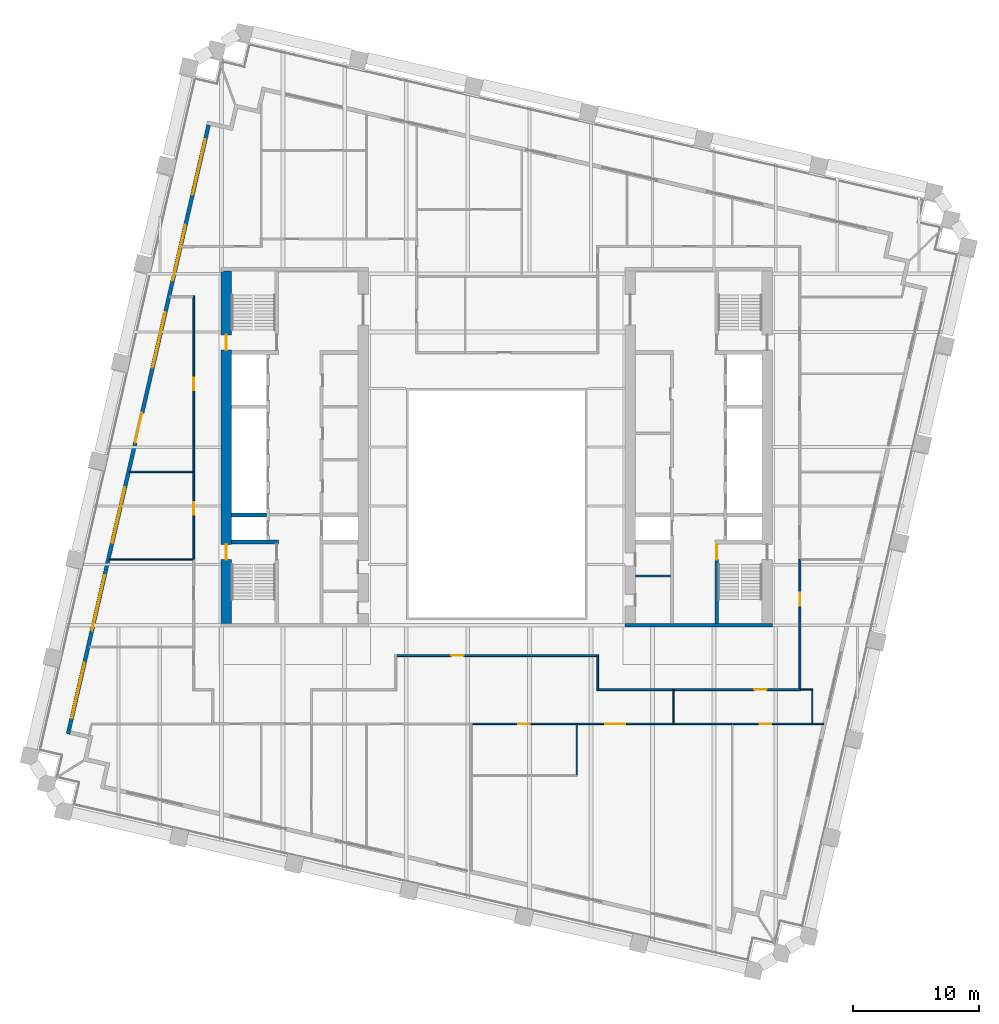
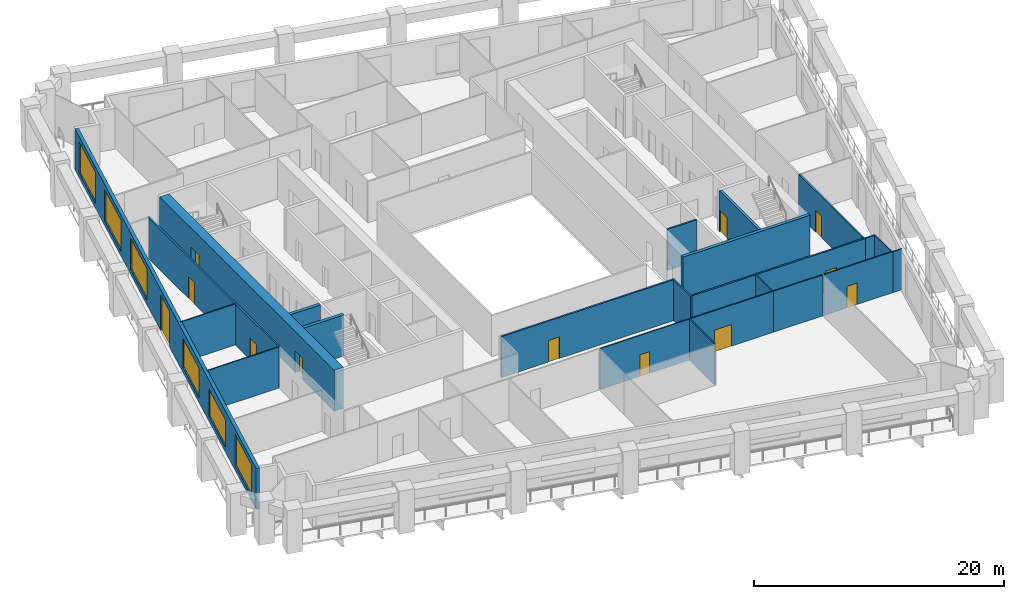
# One storey, part 4 of 10: 25 walls, 12 doors, 6 windows, 18 openings.
"""IFC4 building model written with IfcOpenShell, lengths in metres."""

from ifc_helpers import new_model, si_unit, direction, frame, frame_2d, origin, place, context, subcontext, project, spatial, rectangle, extrude, material, layer, layer_set, type_object, element, fill, save


model = new_model("IFC4")

# Units and contexts
model_context = context("Model", 3, precision=1e-05, world=origin(), true_north=direction((0.0, 1.0)))
body_context = subcontext(model_context, "Body", "Model", "MODEL_VIEW")
ifc_project = project(units=[si_unit("LENGTHUNIT", "METRE"), si_unit("AREAUNIT", "SQUARE_METRE"), si_unit("VOLUMEUNIT", "CUBIC_METRE"), si_unit("PLANEANGLEUNIT", "RADIAN"), si_unit("MASSUNIT", "GRAM", prefix="KILO")], contexts=[model_context])

# Site, building, storey
site_placement = place(None, origin())
site = spatial("IfcSite", under=ifc_project, at=site_placement, CompositionType="ELEMENT")
building_placement = place(site_placement, origin())
building = spatial("IfcBuilding", under=site, at=building_placement, Name="Ogive Exchange Tower", CompositionType="ELEMENT")
storey_placement = place(building_placement, frame((0.0, 0.0, 114.0)))
storey = spatial("IfcBuildingStorey", under=building, at=storey_placement, Name="L24", CompositionType="ELEMENT", Elevation=114.0)

# Wall
ifc_material_1 = material(Name="Gypsum board partition")
ifc_layer_1 = layer(ifc_material_1, 0.14990234375)
ifc_layer_set_1 = layer_set([ifc_layer_1], Name="Core room partition 150 gypsum")
wall_type_1 = type_object("IfcWallType", Name="Core room partition 150 gypsum", PredefinedType="PARTITIONING", material=ifc_layer_set_1)
wall_1_placement = place(storey_placement, frame((11.0, 1.300048828125, 0.0), z_axis=(0.0, 0.0, 1.0), x_axis=(1.0, 0.0, 0.0)))
element("IfcWall", 1, at=wall_1_placement, inside=storey, type_object=wall_type_1, Name="E south room partition", PredefinedType="PARTITIONING", context=body_context, shape_type="SweptSolid", body=[
    extrude(rectangle(XDim=2.75, YDim=0.14990234375, at=frame_2d((1.375, 0.0))), origin(), (0.0, 0.0, 1.0), 4.0),
])

# Wall, opening, door
ifc_material_2 = material(Name="Fire partition EI 60 150")
ifc_layer_2 = layer(ifc_material_2, 0.14990234375)
ifc_layer_set_2 = layer_set([ifc_layer_2], Name="Fire partition EI 60 150")
wall_type_2 = type_object("IfcWallType", Name="Fire partition EI 60 150", PredefinedType="PARTITIONING", material=ifc_layer_set_2)
wall_2_placement = place(storey_placement, frame((-24.0, 2.610107421875, 0.0), z_axis=(0.0, 0.0, 1.0), x_axis=(0.0, 1.0, 0.0)))
wall_2 = element("IfcWall", 2, at=wall_2_placement, inside=storey, type_object=wall_type_2, Name="L24-PWL-007", PredefinedType="PARTITIONING", context=body_context, shape_type="SweptSolid", body=[
    extrude(rectangle(XDim=6.989990234375, YDim=0.14990234375, at=frame_2d((3.4951171875, 0.0))), origin(), (0.0, 0.0, 1.0), 4.0),
])
opening_1_placement = place(wall_2_placement, frame((3.5400390625, 0.0, 0.0)))
opening_1 = element("IfcOpeningElement", 3, at=opening_1_placement, cuts=wall_2, Name="Opening L24-I19", PredefinedType="OPENING", context=body_context, shape_type="SweptSolid", body=[
    extrude(rectangle(XDim=1.0, YDim=2.10009765625, at=frame_2d((0.5, 1.050048828125))), frame((0.0, 0.0849609375, 0.0), z_axis=(0.0, -1.0, 0.0), x_axis=(1.0, 0.0, 0.0)), (0.0, 0.0, 1.0), 0.169921875),
])
ifc_material_3 = material(Name="Fire door FD 30S 1000 x 2100")
door_type_1 = type_object("IfcDoorType", Name="Fire door FD 30S 1000 x 2100", OperationType="NOTDEFINED", PredefinedType="DOOR", material=ifc_material_3)
door_1_placement = place(opening_1_placement, origin())
door_1 = element("IfcDoor", 4, at=door_1_placement, inside=storey, type_object=door_type_1, Name="L24-IDR-019", ObjectType="DT3", OperationType="SINGLE_SWING_LEFT", OverallHeight=2.10009765625, OverallWidth=1.0, PredefinedType="DOOR", context=body_context, shape_type="SweptSolid", body=[
    extrude(rectangle(XDim=1.0, YDim=2.10009765625, at=frame_2d((0.5, 1.050048828125))), frame((0.0, 0.02490234375, 0.0), z_axis=(0.0, -1.0, 0.0), x_axis=(1.0, 0.0, 0.0)), (0.0, 0.0, 1.0), 0.050048828125),
])
fill(opening_1, door_1)

wall_3_placement = place(storey_placement, frame((-24.0, 9.550048828125, 0.0), z_axis=(0.0, 0.0, 1.0), x_axis=(0.0, 1.0, 0.0)))
wall_3 = element("IfcWall", 5, at=wall_3_placement, inside=storey, type_object=wall_type_2, Name="L24-PWL-009", PredefinedType="PARTITIONING", context=body_context, shape_type="SweptSolid", body=[
    extrude(rectangle(XDim=13.93505859375, YDim=0.14990234375, at=frame_2d((6.967529296875, 0.0))), origin(), (0.0, 0.0, 1.0), 4.0),
])
opening_2_placement = place(wall_3_placement, frame((6.4599609375, 0.0, 0.0)))
opening_2 = element("IfcOpeningElement", 6, at=opening_2_placement, cuts=wall_3, Name="Opening L24-I10", PredefinedType="OPENING", context=body_context, shape_type="SweptSolid", body=[
    extrude(rectangle(XDim=1.0, YDim=2.10009765625, at=frame_2d((0.5, 1.050048828125))), frame((0.0, 0.0849609375, 0.0), z_axis=(0.0, -1.0, 0.0), x_axis=(1.0, 0.0, 0.0)), (0.0, 0.0, 1.0), 0.169921875),
])
door_2_placement = place(opening_2_placement, origin())
door_2 = element("IfcDoor", 7, at=door_2_placement, inside=storey, type_object=door_type_1, Name="L24-IDR-010", ObjectType="DT3", OperationType="SINGLE_SWING_LEFT", OverallHeight=2.10009765625, OverallWidth=1.0, PredefinedType="DOOR", context=body_context, shape_type="SweptSolid", body=[
    extrude(rectangle(XDim=1.0, YDim=2.10009765625, at=frame_2d((0.5, 1.050048828125))), frame((0.0, 0.02490234375, 0.0), z_axis=(0.0, -1.0, 0.0), x_axis=(1.0, 0.0, 0.0)), (0.0, 0.0, 1.0), 0.050048828125),
])
fill(opening_2, door_2)

# Wall
wall_4_placement = place(storey_placement, frame((8.0, -7.77490234375, 0.0), z_axis=(0.0, 0.0, 1.0), x_axis=(0.0, 1.0, 0.0)))
element("IfcWall", 8, at=wall_4_placement, inside=storey, type_object=wall_type_2, Name="L24-PWL-051", PredefinedType="PARTITIONING", context=body_context, shape_type="SweptSolid", body=[
    extrude(rectangle(XDim=2.849853515625, YDim=0.14990234375, at=frame_2d((1.4248046875, 0.0))), origin(), (0.0, 0.0, 1.0), 4.0),
])

# Wall, opening, door
wall_5_placement = place(storey_placement, frame((7.925048828125, -5.0, 0.0), z_axis=(0.0, 0.0, 1.0), x_axis=(-1.0, 0.0, 0.0)))
wall_5 = element("IfcWall", 9, at=wall_5_placement, inside=storey, type_object=wall_type_2, Name="L24-PWL-052", PredefinedType="PARTITIONING", context=body_context, shape_type="SweptSolid", body=[
    extrude(rectangle(XDim=15.85009765625, YDim=0.14990234375, at=frame_2d((7.925048828125, 0.0))), origin(), (0.0, 0.0, 1.0), 4.0),
])
opening_3_placement = place(wall_5_placement, frame((10.52490234375, 0.0, 0.0)))
opening_3 = element("IfcOpeningElement", 10, at=opening_3_placement, cuts=wall_5, Name="Opening L24-I18", PredefinedType="OPENING", context=body_context, shape_type="SweptSolid", body=[
    extrude(rectangle(XDim=1.0, YDim=2.10009765625, at=frame_2d((0.5, 1.050048828125))), frame((0.0, 0.0849609375, 0.0), z_axis=(0.0, -1.0, 0.0), x_axis=(1.0, 0.0, 0.0)), (0.0, 0.0, 1.0), 0.169921875),
])
door_3_placement = place(opening_3_placement, origin())
door_3 = element("IfcDoor", 11, at=door_3_placement, inside=storey, type_object=door_type_1, Name="L24-IDR-018", ObjectType="DT3", OperationType="SINGLE_SWING_LEFT", OverallHeight=2.10009765625, OverallWidth=1.0, PredefinedType="DOOR", context=body_context, shape_type="SweptSolid", body=[
    extrude(rectangle(XDim=1.0, YDim=2.10009765625, at=frame_2d((0.5, 1.050048828125))), frame((0.0, 0.02490234375, 0.0), z_axis=(0.0, -1.0, 0.0), x_axis=(1.0, 0.0, 0.0)), (0.0, 0.0, 1.0), 0.050048828125),
])
fill(opening_3, door_3)

# Wall
wall_6_placement = place(storey_placement, frame((13.949951171875, -7.699951171875, 0.0), z_axis=(0.0, 0.0, 1.0), x_axis=(-1.0, 0.0, 0.0)))
element("IfcWall", 12, at=wall_6_placement, inside=storey, type_object=wall_type_2, Name="L24-PWL-060", PredefinedType="PARTITIONING", context=body_context, shape_type="SweptSolid", body=[
    extrude(rectangle(XDim=5.875, YDim=0.14990234375, at=frame_2d((2.9375, 0.0))), origin(), (0.0, 0.0, 1.0), 4.0),
])

# Wall, opening, door
wall_7_placement = place(storey_placement, frame((24.074951171875, -7.699951171875, 0.0), z_axis=(0.0, 0.0, 1.0), x_axis=(-1.0, 0.0, 0.0)))
wall_7 = element("IfcWall", 13, at=wall_7_placement, inside=storey, type_object=wall_type_2, Name="L24-PWL-065", PredefinedType="PARTITIONING", context=body_context, shape_type="SweptSolid", body=[
    extrude(rectangle(XDim=10.02490234375, YDim=0.14990234375, at=frame_2d((5.012451171875, 0.0))), origin(), (0.0, 0.0, 1.0), 4.0),
])
opening_4_placement = place(wall_7_placement, frame((2.675048828125, 0.0, 0.0)))
opening_4 = element("IfcOpeningElement", 14, at=opening_4_placement, cuts=wall_7, Name="Opening L24-I17", PredefinedType="OPENING", context=body_context, shape_type="SweptSolid", body=[
    extrude(rectangle(XDim=1.0, YDim=2.10009765625, at=frame_2d((0.5, 1.050048828125))), frame((0.0, 0.0849609375, 0.0), z_axis=(0.0, -1.0, 0.0), x_axis=(1.0, 0.0, 0.0)), (0.0, 0.0, 1.0), 0.169921875),
])
door_4_placement = place(opening_4_placement, origin())
door_4 = element("IfcDoor", 15, at=door_4_placement, inside=storey, type_object=door_type_1, Name="L24-IDR-017", ObjectType="DT3", OperationType="SINGLE_SWING_RIGHT", OverallHeight=2.10009765625, OverallWidth=1.0, PredefinedType="DOOR", context=body_context, shape_type="SweptSolid", body=[
    extrude(rectangle(XDim=1.0, YDim=2.10009765625, at=frame_2d((0.5, 1.050048828125))), frame((0.0, 0.02490234375, 0.0), z_axis=(0.0, -1.0, 0.0), x_axis=(1.0, 0.0, 0.0)), (0.0, 0.0, 1.0), 0.050048828125),
])
fill(opening_4, door_4)

wall_8_placement = place(storey_placement, frame((24.010009765625, 2.659912109375, 0.0), z_axis=(0.0, 0.0, 1.0), x_axis=(0.0, -1.0, 0.0)))
wall_8 = element("IfcWall", 16, at=wall_8_placement, inside=storey, type_object=wall_type_2, Name="L24-PWL-072", PredefinedType="PARTITIONING", context=body_context, shape_type="SweptSolid", body=[
    extrude(rectangle(XDim=10.27490234375, YDim=0.14990234375, at=frame_2d((5.137451171875, 0.0))), origin(), (0.0, 0.0, 1.0), 4.0),
])
opening_5_placement = place(wall_8_placement, frame((2.699951171875, 0.0, 0.0)))
opening_5 = element("IfcOpeningElement", 17, at=opening_5_placement, cuts=wall_8, Name="Opening L24-I16", PredefinedType="OPENING", context=body_context, shape_type="SweptSolid", body=[
    extrude(rectangle(XDim=1.0, YDim=2.10009765625, at=frame_2d((0.5, 1.050048828125))), frame((0.0, 0.0849609375, 0.0), z_axis=(0.0, -1.0, 0.0), x_axis=(1.0, 0.0, 0.0)), (0.0, 0.0, 1.0), 0.169921875),
])
door_5_placement = place(opening_5_placement, origin())
door_5 = element("IfcDoor", 18, at=door_5_placement, inside=storey, type_object=door_type_1, Name="L24-IDR-016", ObjectType="DT3", OperationType="SINGLE_SWING_RIGHT", OverallHeight=2.10009765625, OverallWidth=1.0, PredefinedType="DOOR", context=body_context, shape_type="SweptSolid", body=[
    extrude(rectangle(XDim=1.0, YDim=2.10009765625, at=frame_2d((0.5, 1.050048828125))), frame((0.0, 0.02490234375, 0.0), z_axis=(0.0, -1.0, 0.0), x_axis=(1.0, 0.0, 0.0)), (0.0, 0.0, 1.0), 0.050048828125),
])
fill(opening_5, door_5)

# Wall, openings, door, windows
ifc_material_4 = material(Name="Precast concrete C40/50", Category="concrete")
ifc_layer_3 = layer(ifc_material_4, 0.300048828125)
ifc_layer_set_3 = layer_set([ifc_layer_3], Name="Limestone-faced wall 300")
wall_type_3 = type_object("IfcWallType", Name="Limestone-faced wall 300", PredefinedType="STANDARD", material=ifc_layer_set_3)
wall_9_placement = place(storey_placement, frame((-22.8203125, 37.015625, 0.0), z_axis=(0.0, 0.0, 1.0), x_axis=(-0.224953880882, -0.974369412223, 0.0)))
wall_9 = element("IfcWall", 19, at=wall_9_placement, inside=storey, type_object=wall_type_3, Name="External wall W4", PredefinedType="STANDARD", context=body_context, shape_type="SweptSolid", body=[
    extrude(rectangle(XDim=49.500244140625, YDim=0.300048828125, at=frame_2d((24.75, 0.0))), origin(), (0.0, 0.0, 1.0), 4.0),
])
opening_6_placement = place(wall_9_placement, frame((1.156982421875, 0.0, 0.449951171875)))
opening_6 = element("IfcOpeningElement", 20, at=opening_6_placement, cuts=wall_9, Name="Opening W1", PredefinedType="OPENING", context=body_context, shape_type="SweptSolid", body=[
    extrude(rectangle(XDim=4.5, YDim=3.050048828125, at=frame_2d((2.25, 1.52490234375))), frame((0.0, 0.159912109375, 0.0), z_axis=(0.0, -1.0, 0.0), x_axis=(1.0, 0.0, 0.0)), (0.0, 0.0, 1.0), 0.320068359375),
])
opening_7_placement = place(wall_9_placement, frame((8.121337890625, 0.0, 0.449951171875)))
opening_7 = element("IfcOpeningElement", 21, at=opening_7_placement, cuts=wall_9, Name="Opening W1", PredefinedType="OPENING", context=body_context, shape_type="SweptSolid", body=[
    extrude(rectangle(XDim=4.5, YDim=3.050048828125, at=frame_2d((2.25, 1.52490234375))), frame((0.0, 0.159912109375, 0.0), z_axis=(0.0, -1.0, 0.0), x_axis=(1.0, 0.0, 0.0)), (0.0, 0.0, 1.0), 0.320068359375),
])
opening_8_placement = place(wall_9_placement, frame((15.235595703125, 0.0, 0.449951171875)))
opening_8 = element("IfcOpeningElement", 22, at=opening_8_placement, cuts=wall_9, Name="Opening W1", PredefinedType="OPENING", context=body_context, shape_type="SweptSolid", body=[
    extrude(rectangle(XDim=4.5, YDim=3.050048828125, at=frame_2d((2.25, 1.52490234375))), frame((0.0, 0.159912109375, 0.0), z_axis=(0.0, -1.0, 0.0), x_axis=(1.0, 0.0, 0.0)), (0.0, 0.0, 1.0), 0.320068359375),
])
opening_9_placement = place(wall_9_placement, frame((23.39990234375, 0.0, 0.0)))
opening_9 = element("IfcOpeningElement", 23, at=opening_9_placement, cuts=wall_9, Name="Opening D1", PredefinedType="OPENING", context=body_context, shape_type="SweptSolid", body=[
    extrude(rectangle(XDim=2.39990234375, YDim=3.5, at=frame_2d((1.199951171875, 1.75))), frame((0.0, 0.159912109375, 0.0), z_axis=(0.0, -1.0, 0.0), x_axis=(1.0, 0.0, 0.0)), (0.0, 0.0, 1.0), 0.320068359375),
])
opening_10_placement = place(wall_9_placement, frame((29.464111328125, 0.0, 0.449951171875)))
opening_10 = element("IfcOpeningElement", 24, at=opening_10_placement, cuts=wall_9, Name="Opening W1D", PredefinedType="OPENING", context=body_context, shape_type="SweptSolid", body=[
    extrude(rectangle(XDim=4.5, YDim=2.875, at=frame_2d((2.25, 1.4375))), frame((0.0, 0.159912109375, 0.0), z_axis=(0.0, -1.0, 0.0), x_axis=(1.0, 0.0, 0.0)), (0.0, 0.0, 1.0), 0.320068359375),
])
opening_11_placement = place(wall_9_placement, frame((36.57861328125, 0.0, 0.449951171875)))
opening_11 = element("IfcOpeningElement", 25, at=opening_11_placement, cuts=wall_9, Name="Opening W1J", PredefinedType="OPENING", context=body_context, shape_type="SweptSolid", body=[
    extrude(rectangle(XDim=4.5, YDim=2.675048828125, at=frame_2d((2.25, 1.33740234375))), frame((0.0, 0.159912109375, 0.0), z_axis=(0.0, -1.0, 0.0), x_axis=(1.0, 0.0, 0.0)), (0.0, 0.0, 1.0), 0.320068359375),
])
opening_12_placement = place(wall_9_placement, frame((43.69287109375, 0.0, 0.449951171875)))
opening_12 = element("IfcOpeningElement", 26, at=opening_12_placement, cuts=wall_9, Name="Opening W1", PredefinedType="OPENING", context=body_context, shape_type="SweptSolid", body=[
    extrude(rectangle(XDim=4.5, YDim=3.050048828125, at=frame_2d((2.25, 1.52490234375))), frame((0.0, 0.159912109375, 0.0), z_axis=(0.0, -1.0, 0.0), x_axis=(1.0, 0.0, 0.0)), (0.0, 0.0, 1.0), 0.320068359375),
])
ifc_material_5 = material(Name="Clear glass in bronze frame", Category="glass")
door_type_2 = type_object("IfcDoorType", Name="Sliding loggia door 2400 x 3500", OperationType="DOUBLE_DOOR_SLIDING", PredefinedType="DOOR", material=ifc_material_5)
door_6_placement = place(opening_9_placement, origin())
door_6 = element("IfcDoor", 27, at=door_6_placement, inside=storey, type_object=door_type_2, Name="Loggia door W03", OperationType="DOUBLE_DOOR_SLIDING", OverallHeight=3.5, OverallWidth=2.39990234375, PredefinedType="DOOR", context=body_context, shape_type="SweptSolid", body=[
    extrude(rectangle(XDim=2.39990234375, YDim=3.5, at=frame_2d((1.199951171875, 1.75))), frame((0.0, 0.02490234375, 0.0), z_axis=(0.0, -1.0, 0.0), x_axis=(1.0, 0.0, 0.0)), (0.0, 0.0, 1.0), 0.050048828125),
])
fill(opening_9, door_6)
window_type_1 = type_object("IfcWindowType", Name="Twin lancet window 4500 x 2675", PartitioningType="DOUBLE_PANEL_VERTICAL", PredefinedType="WINDOW", material=ifc_material_5)
window_1_placement = place(opening_11_placement, origin())
window_1 = element("IfcWindow", 28, at=window_1_placement, inside=storey, type_object=window_type_1, Name="Window W05", OverallHeight=2.675048828125, OverallWidth=4.5, PartitioningType="DOUBLE_PANEL_VERTICAL", PredefinedType="WINDOW", context=body_context, shape_type="SweptSolid", body=[
    extrude(rectangle(XDim=4.5, YDim=2.675048828125, at=frame_2d((2.25, 1.33740234375))), frame((0.0, 0.030029296875, 0.0), z_axis=(0.0, -1.0, 0.0), x_axis=(1.0, 0.0, 0.0)), (0.0, 0.0, 1.0), 0.06005859375),
])
fill(opening_11, window_1)
window_type_2 = type_object("IfcWindowType", Name="Twin lancet window 4500 x 2875", PartitioningType="DOUBLE_PANEL_VERTICAL", PredefinedType="WINDOW", material=ifc_material_5)
window_2_placement = place(opening_10_placement, origin())
window_2 = element("IfcWindow", 29, at=window_2_placement, inside=storey, type_object=window_type_2, Name="Window W04", OverallHeight=2.875, OverallWidth=4.5, PartitioningType="DOUBLE_PANEL_VERTICAL", PredefinedType="WINDOW", context=body_context, shape_type="SweptSolid", body=[
    extrude(rectangle(XDim=4.5, YDim=2.875, at=frame_2d((2.25, 1.4375))), frame((0.0, 0.030029296875, 0.0), z_axis=(0.0, -1.0, 0.0), x_axis=(1.0, 0.0, 0.0)), (0.0, 0.0, 1.0), 0.06005859375),
])
fill(opening_10, window_2)
window_type_3 = type_object("IfcWindowType", Name="Twin lancet window 4500 x 3050", PartitioningType="DOUBLE_PANEL_VERTICAL", PredefinedType="WINDOW", material=ifc_material_5)
window_3_placement = place(opening_6_placement, origin())
window_3 = element("IfcWindow", 30, at=window_3_placement, inside=storey, type_object=window_type_3, Name="Window W00", OverallHeight=3.050048828125, OverallWidth=4.5, PartitioningType="DOUBLE_PANEL_VERTICAL", PredefinedType="WINDOW", context=body_context, shape_type="SweptSolid", body=[
    extrude(rectangle(XDim=4.5, YDim=3.050048828125, at=frame_2d((2.25, 1.52490234375))), frame((0.0, 0.030029296875, 0.0), z_axis=(0.0, -1.0, 0.0), x_axis=(1.0, 0.0, 0.0)), (0.0, 0.0, 1.0), 0.06005859375),
])
fill(opening_6, window_3)
window_4_placement = place(opening_7_placement, origin())
window_4 = element("IfcWindow", 31, at=window_4_placement, inside=storey, type_object=window_type_3, Name="Window W01", OverallHeight=3.050048828125, OverallWidth=4.5, PartitioningType="DOUBLE_PANEL_VERTICAL", PredefinedType="WINDOW", context=body_context, shape_type="SweptSolid", body=[
    extrude(rectangle(XDim=4.5, YDim=3.050048828125, at=frame_2d((2.25, 1.52490234375))), frame((0.0, 0.030029296875, 0.0), z_axis=(0.0, -1.0, 0.0), x_axis=(1.0, 0.0, 0.0)), (0.0, 0.0, 1.0), 0.06005859375),
])
fill(opening_7, window_4)
window_5_placement = place(opening_8_placement, origin())
window_5 = element("IfcWindow", 32, at=window_5_placement, inside=storey, type_object=window_type_3, Name="Window W02", OverallHeight=3.050048828125, OverallWidth=4.5, PartitioningType="DOUBLE_PANEL_VERTICAL", PredefinedType="WINDOW", context=body_context, shape_type="SweptSolid", body=[
    extrude(rectangle(XDim=4.5, YDim=3.050048828125, at=frame_2d((2.25, 1.52490234375))), frame((0.0, 0.030029296875, 0.0), z_axis=(0.0, -1.0, 0.0), x_axis=(1.0, 0.0, 0.0)), (0.0, 0.0, 1.0), 0.06005859375),
])
fill(opening_8, window_5)
window_6_placement = place(opening_12_placement, origin())
window_6 = element("IfcWindow", 33, at=window_6_placement, inside=storey, type_object=window_type_3, Name="Window W06", OverallHeight=3.050048828125, OverallWidth=4.5, PartitioningType="DOUBLE_PANEL_VERTICAL", PredefinedType="WINDOW", context=body_context, shape_type="SweptSolid", body=[
    extrude(rectangle(XDim=4.5, YDim=3.050048828125, at=frame_2d((2.25, 1.52490234375))), frame((0.0, 0.030029296875, 0.0), z_axis=(0.0, -1.0, 0.0), x_axis=(1.0, 0.0, 0.0)), (0.0, 0.0, 1.0), 0.06005859375),
])
fill(opening_12, window_6)

# Walls
ifc_material_6 = material(Name="Partition 100 gypsum")
ifc_layer_4 = layer(ifc_material_6, 0.10009765625)
ifc_layer_set_4 = layer_set([ifc_layer_4], Name="Partition 100 gypsum")
wall_type_4 = type_object("IfcWallType", Name="Partition 100 gypsum", PredefinedType="PARTITIONING", material=ifc_layer_set_4)
wall_10_placement = place(storey_placement, frame((-24.074951171875, 2.610107421875, 0.0), z_axis=(0.0, 0.0, 1.0), x_axis=(-1.0, 0.0, 0.0)))
element("IfcWall", 34, at=wall_10_placement, inside=storey, type_object=wall_type_4, Name="L24-PWL-006", PredefinedType="PARTITIONING", context=body_context, shape_type="SweptSolid", body=[
    extrude(rectangle(XDim=6.616943359375, YDim=0.10009765625, at=frame_2d((3.30859375, 0.0))), origin(), (0.0, 0.0, 1.0), 4.0),
])
wall_11_placement = place(storey_placement, frame((-24.074951171875, 9.550048828125, 0.0), z_axis=(0.0, 0.0, 1.0), x_axis=(-1.0, 0.0, 0.0)))
element("IfcWall", 35, at=wall_11_placement, inside=storey, type_object=wall_type_4, Name="L24-PWL-008", PredefinedType="PARTITIONING", context=body_context, shape_type="SweptSolid", body=[
    extrude(rectangle(XDim=5.01513671875, YDim=0.10009765625, at=frame_2d((2.507568359375, 0.0))), origin(), (0.0, 0.0, 1.0), 4.0),
])
wall_12_placement = place(storey_placement, frame((6.340087890625, -14.449951171875, 0.0), z_axis=(0.0, 0.0, 1.0), x_axis=(0.0, 1.0, 0.0)))
element("IfcWall", 36, at=wall_12_placement, inside=storey, type_object=wall_type_4, Name="L24-PWL-049", PredefinedType="PARTITIONING", context=body_context, shape_type="SweptSolid", body=[
    extrude(rectangle(XDim=4.08984375, YDim=0.10009765625, at=frame_2d((2.044921875, 0.0))), origin(), (0.0, 0.0, 1.0), 4.0),
])

# Wall, opening, door
wall_13_placement = place(storey_placement, frame((6.2900390625, -10.409912109375, 0.0), z_axis=(0.0, 0.0, 1.0), x_axis=(-1.0, 0.0, 0.0)))
wall_13 = element("IfcWall", 37, at=wall_13_placement, inside=storey, type_object=wall_type_4, Name="L24-PWL-050", PredefinedType="PARTITIONING", context=body_context, shape_type="SweptSolid", body=[
    extrude(rectangle(XDim=8.22998046875, YDim=0.10009765625, at=frame_2d((4.114990234375, 0.0))), origin(), (0.0, 0.0, 1.0), 4.0),
])
opening_13_placement = place(wall_13_placement, frame((3.679931640625, 0.0, 0.0)))
opening_13 = element("IfcOpeningElement", 38, at=opening_13_placement, cuts=wall_13, Name="Opening L24-I24", PredefinedType="OPENING", context=body_context, shape_type="SweptSolid", body=[
    extrude(rectangle(XDim=0.89990234375, YDim=2.10009765625, at=frame_2d((0.449951171875, 1.050048828125))), frame((0.0, 0.06005859375, 0.0), z_axis=(0.0, -1.0, 0.0), x_axis=(1.0, 0.0, 0.0)), (0.0, 0.0, 1.0), 0.1201171875),
])
ifc_material_7 = material(Name="Door 900 x 2100")
door_type_3 = type_object("IfcDoorType", Name="Door 900 x 2100", OperationType="NOTDEFINED", PredefinedType="DOOR", material=ifc_material_7)
door_7_placement = place(opening_13_placement, origin())
door_7 = element("IfcDoor", 39, at=door_7_placement, inside=storey, type_object=door_type_3, Name="L24-IDR-024", ObjectType="DT1", OperationType="SINGLE_SWING_LEFT", OverallHeight=2.10009765625, OverallWidth=0.89990234375, PredefinedType="DOOR", context=body_context, shape_type="SweptSolid", body=[
    extrude(rectangle(XDim=0.89990234375, YDim=2.10009765625, at=frame_2d((0.449951171875, 1.050048828125))), frame((0.0, 0.02490234375, 0.0), z_axis=(0.0, -1.0, 0.0), x_axis=(1.0, 0.0, 0.0)), (0.0, 0.0, 1.0), 0.050048828125),
])
fill(opening_13, door_7)

wall_14_placement = place(storey_placement, frame((14.050048828125, -10.409912109375, 0.0), z_axis=(0.0, 0.0, 1.0), x_axis=(-1.0, 0.0, 0.0)))
wall_14 = element("IfcWall", 40, at=wall_14_placement, inside=storey, type_object=wall_type_4, Name="L24-PWL-058", PredefinedType="PARTITIONING", context=body_context, shape_type="SweptSolid", body=[
    extrude(rectangle(XDim=7.66015625, YDim=0.10009765625, at=frame_2d((3.830078125, 0.0))), origin(), (0.0, 0.0, 1.0), 4.0),
])
opening_14_placement = place(wall_14_placement, frame((3.860107421875, 0.0, 0.0)))
opening_14 = element("IfcOpeningElement", 41, at=opening_14_placement, cuts=wall_14, Name="Opening L24-I23", PredefinedType="OPENING", context=body_context, shape_type="SweptSolid", body=[
    extrude(rectangle(XDim=1.60009765625, YDim=2.10009765625, at=frame_2d((0.800048828125, 1.050048828125))), frame((0.0, 0.06005859375, 0.0), z_axis=(0.0, -1.0, 0.0), x_axis=(1.0, 0.0, 0.0)), (0.0, 0.0, 1.0), 0.1201171875),
])
ifc_material_8 = material(Name="Door 1600 x 2100")
door_type_4 = type_object("IfcDoorType", Name="Door 1600 x 2100", OperationType="DOUBLE_DOOR_SINGLE_SWING", PredefinedType="DOOR", material=ifc_material_8)
door_8_placement = place(opening_14_placement, frame((1.60009765625, 0.0, 0.0), z_axis=(0.0, 0.0, 1.0), x_axis=(-1.0, 0.0, 0.0)))
door_8 = element("IfcDoor", 42, at=door_8_placement, inside=storey, type_object=door_type_4, Name="L24-IDR-023", ObjectType="DT2", OperationType="SINGLE_SWING_LEFT", OverallHeight=2.10009765625, OverallWidth=1.60009765625, PredefinedType="DOOR", context=body_context, shape_type="SweptSolid", body=[
    extrude(rectangle(XDim=1.60009765625, YDim=2.10009765625, at=frame_2d((0.800048828125, 1.050048828125))), frame((0.0, 0.02490234375, 0.0), z_axis=(0.0, -1.0, 0.0), x_axis=(1.0, 0.0, 0.0)), (0.0, 0.0, 1.0), 0.050048828125),
])
fill(opening_14, door_8)

# Walls
wall_15_placement = place(storey_placement, frame((14.0, -10.360107421875, 0.0), z_axis=(0.0, 0.0, 1.0), x_axis=(0.0, 1.0, 0.0)))
element("IfcWall", 43, at=wall_15_placement, inside=storey, type_object=wall_type_4, Name="L24-PWL-059", PredefinedType="PARTITIONING", context=body_context, shape_type="SweptSolid", body=[
    extrude(rectangle(XDim=2.735107421875, YDim=0.10009765625, at=frame_2d((1.36767578125, 0.0))), origin(), (0.0, 0.0, 1.0), 4.0),
])
wall_16_placement = place(storey_placement, frame((18.60009765625, -10.409912109375, 0.0), z_axis=(0.0, 0.0, 1.0), x_axis=(-1.0, 0.0, 0.0)))
element("IfcWall", 44, at=wall_16_placement, inside=storey, type_object=wall_type_4, Name="L24-PWL-062", PredefinedType="PARTITIONING", context=body_context, shape_type="SweptSolid", body=[
    extrude(rectangle(XDim=4.550048828125, YDim=0.10009765625, at=frame_2d((2.27490234375, 0.0))), origin(), (0.0, 0.0, 1.0), 4.0),
])

# Wall, opening, door
wall_17_placement = place(storey_placement, frame((25.050048828125, -10.409912109375, 0.0), z_axis=(0.0, 0.0, 1.0), x_axis=(-1.0, 0.0, 0.0)))
wall_17 = element("IfcWall", 45, at=wall_17_placement, inside=storey, type_object=wall_type_4, Name="L24-PWL-073", PredefinedType="PARTITIONING", context=body_context, shape_type="SweptSolid", body=[
    extrude(rectangle(XDim=6.35009765625, YDim=0.10009765625, at=frame_2d((3.175048828125, 0.0))), origin(), (0.0, 0.0, 1.0), 4.0),
])
opening_15_placement = place(wall_17_placement, frame((3.300048828125, 0.0, 0.0)))
opening_15 = element("IfcOpeningElement", 46, at=opening_15_placement, cuts=wall_17, Name="Opening L24-I22", PredefinedType="OPENING", context=body_context, shape_type="SweptSolid", body=[
    extrude(rectangle(XDim=0.89990234375, YDim=2.10009765625, at=frame_2d((0.449951171875, 1.050048828125))), frame((0.0, 0.06005859375, 0.0), z_axis=(0.0, -1.0, 0.0), x_axis=(1.0, 0.0, 0.0)), (0.0, 0.0, 1.0), 0.1201171875),
])
door_9_placement = place(opening_15_placement, frame((0.89990234375, 0.0, 0.0), z_axis=(0.0, 0.0, 1.0), x_axis=(-1.0, 0.0, 0.0)))
door_9 = element("IfcDoor", 47, at=door_9_placement, inside=storey, type_object=door_type_3, Name="L24-IDR-022", ObjectType="DT1", OperationType="SINGLE_SWING_LEFT", OverallHeight=2.10009765625, OverallWidth=0.89990234375, PredefinedType="DOOR", context=body_context, shape_type="SweptSolid", body=[
    extrude(rectangle(XDim=0.89990234375, YDim=2.10009765625, at=frame_2d((0.449951171875, 1.050048828125))), frame((0.0, 0.02490234375, 0.0), z_axis=(0.0, -1.0, 0.0), x_axis=(1.0, 0.0, 0.0)), (0.0, 0.0, 1.0), 0.050048828125),
])
fill(opening_15, door_9)

# Walls
wall_18_placement = place(storey_placement, frame((25.0, -10.360107421875, 0.0), z_axis=(0.0, 0.0, 1.0), x_axis=(0.0, 1.0, 0.0)))
element("IfcWall", 48, at=wall_18_placement, inside=storey, type_object=wall_type_4, Name="L24-PWL-074", PredefinedType="PARTITIONING", context=body_context, shape_type="SweptSolid", body=[
    extrude(rectangle(XDim=2.72021484375, YDim=0.10009765625, at=frame_2d((1.360107421875, 0.0))), origin(), (0.0, 0.0, 1.0), 4.0),
])
wall_19_placement = place(storey_placement, frame((24.949951171875, -7.68994140625, 0.0), z_axis=(0.0, 0.0, 1.0), x_axis=(-1.0, 0.0, 0.0)))
element("IfcWall", 49, at=wall_19_placement, inside=storey, type_object=wall_type_4, Name="L24-PWL-075", PredefinedType="PARTITIONING", context=body_context, shape_type="SweptSolid", body=[
    extrude(rectangle(XDim=0.875, YDim=0.10009765625, at=frame_2d((0.4375, 0.0))), origin(), (0.0, 0.0, 1.0), 4.0),
])
wall_20_placement = place(storey_placement, frame((25.889892578125, -10.409912109375, 0.0), z_axis=(0.0, 0.0, 1.0), x_axis=(-1.0, 0.0, 0.0)))
element("IfcWall", 50, at=wall_20_placement, inside=storey, type_object=wall_type_4, Name="L24-PWL-076", PredefinedType="PARTITIONING", context=body_context, shape_type="SweptSolid", body=[
    extrude(rectangle(XDim=0.83984375, YDim=0.10009765625, at=frame_2d((0.419921875, 0.0))), origin(), (0.0, 0.0, 1.0), 4.0),
])

# Wall, opening, door
ifc_material_9 = material(Name="Concrete C70/85", Category="concrete")
ifc_layer_5 = layer(ifc_material_9, 0.25)
ifc_layer_set_5 = layer_set([ifc_layer_5], Name="RC core wall 250 C70/85")
wall_type_5 = type_object("IfcWallType", Name="RC core wall 250 C70/85", PredefinedType="SHEAR", material=ifc_layer_set_5)
wall_21_placement = place(storey_placement, frame((17.425048828125, -2.449951171875, 0.0), z_axis=(0.0, 0.0, 1.0), x_axis=(0.0, 1.0, 0.0)))
wall_21 = element("IfcWall", 51, at=wall_21_placement, inside=storey, type_object=wall_type_5, Name="E stair S front wall", PredefinedType="SHEAR", context=body_context, shape_type="SweptSolid", body=[
    extrude(rectangle(XDim=6.300048828125, YDim=0.25, at=frame_2d((3.14990234375, 0.0))), origin(), (0.0, 0.0, 1.0), 4.0),
])
opening_16_placement = place(wall_21_placement, frame((5.050048828125, 0.0, 0.0)))
opening_16 = element("IfcOpeningElement", 52, at=opening_16_placement, cuts=wall_21, Name="Opening L24-C32", PredefinedType="OPENING", context=body_context, shape_type="SweptSolid", body=[
    extrude(rectangle(XDim=1.199951171875, YDim=2.10009765625, at=frame_2d((0.60009765625, 1.050048828125))), frame((0.0, 0.135009765625, 0.0), z_axis=(0.0, -1.0, 0.0), x_axis=(1.0, 0.0, 0.0)), (0.0, 0.0, 1.0), 0.27001953125),
])
ifc_material_10 = material(Name="Steel fire door", Category="steel")
door_type_5 = type_object("IfcDoorType", Name="Stair door FD90 1200 x 2100", OperationType="NOTDEFINED", PredefinedType="DOOR", material=ifc_material_10)
door_10_placement = place(opening_16_placement, frame((1.199951171875, 0.0, 0.0), z_axis=(0.0, 0.0, 1.0), x_axis=(-1.0, 0.0, 0.0)))
door_10 = element("IfcDoor", 53, at=door_10_placement, inside=storey, type_object=door_type_5, Name="Stair door", ObjectType="CD5", OperationType="SINGLE_SWING_RIGHT", OverallHeight=2.10009765625, OverallWidth=1.199951171875, PredefinedType="DOOR", context=body_context, shape_type="SweptSolid", body=[
    extrude(rectangle(XDim=1.199951171875, YDim=2.10009765625, at=frame_2d((0.60009765625, 1.050048828125))), frame((0.0, 0.02490234375, 0.0), z_axis=(0.0, -1.0, 0.0), x_axis=(1.0, 0.0, 0.0)), (0.0, 0.0, 1.0), 0.050048828125),
])
fill(opening_16, door_10)

# Walls
ifc_layer_6 = layer(ifc_material_9, 0.300048828125)
ifc_layer_set_6 = layer_set([ifc_layer_6], Name="RC core wall 300 C70/85")
wall_type_6 = type_object("IfcWallType", Name="RC core wall 300 C70/85", PredefinedType="SHEAR", material=ifc_layer_set_6)
wall_22_placement = place(storey_placement, frame((-21.0, 4.0, 0.0), z_axis=(0.0, 0.0, 1.0), x_axis=(1.0, 0.0, 0.0)))
element("IfcWall", 54, at=wall_22_placement, inside=storey, type_object=wall_type_6, Name="W stair S north wall", PredefinedType="SHEAR", context=body_context, shape_type="SweptSolid", body=[
    extrude(rectangle(XDim=3.699951171875, YDim=0.300048828125, at=frame_2d((1.85009765625, 0.0))), origin(), (0.0, 0.0, 1.0), 4.0),
])
wall_23_placement = place(storey_placement, frame((-21.0, 6.142822265625, 0.0), z_axis=(0.0, 0.0, 1.0), x_axis=(1.0, 0.0, 0.0)))
element("IfcWall", 55, at=wall_23_placement, inside=storey, type_object=wall_type_6, Name="W row A divider 1", PredefinedType="SHEAR", context=body_context, shape_type="SweptSolid", body=[
    extrude(rectangle(XDim=2.75, YDim=0.300048828125, at=frame_2d((1.375, 0.0))), origin(), (0.0, 0.0, 1.0), 4.0),
])
wall_24_placement = place(storey_placement, frame((10.14990234375, -2.60009765625, 0.0), z_axis=(0.0, 0.0, 1.0), x_axis=(1.0, 0.0, 0.0)))
element("IfcWall", 56, at=wall_24_placement, inside=storey, type_object=wall_type_6, Name="E south end wall", PredefinedType="SHEAR", context=body_context, shape_type="SweptSolid", body=[
    extrude(rectangle(XDim=11.7001953125, YDim=0.300048828125, at=frame_2d((5.85009765625, 0.0))), origin(), (0.0, 0.0, 1.0), 4.0),
])

# Wall, openings, doors
ifc_layer_7 = layer(ifc_material_9, 0.85009765625)
ifc_layer_set_7 = layer_set([ifc_layer_7], Name="RC core wall 850 C70/85")
wall_type_7 = type_object("IfcWallType", Name="RC core wall 850 C70/85", PredefinedType="SHEAR", material=ifc_layer_set_7)
wall_25_placement = place(storey_placement, frame((-21.425048828125, -2.449951171875, 0.0), z_axis=(0.0, 0.0, 1.0), x_axis=(0.0, 1.0, 0.0)))
wall_25 = element("IfcWall", 57, at=wall_25_placement, inside=storey, type_object=wall_type_7, Name="W outer wall", PredefinedType="SHEAR", context=body_context, shape_type="SweptSolid", body=[
    extrude(rectangle(XDim=27.89990234375, YDim=0.85009765625, at=frame_2d((13.949951171875, 0.0))), origin(), (0.0, 0.0, 1.0), 4.0),
])
opening_17_placement = place(wall_25_placement, frame((5.050048828125, 0.0, 0.0)))
opening_17 = element("IfcOpeningElement", 58, at=opening_17_placement, cuts=wall_25, Name="Opening L24-C15", PredefinedType="OPENING", context=body_context, shape_type="SweptSolid", body=[
    extrude(rectangle(XDim=1.199951171875, YDim=2.10009765625, at=frame_2d((0.60009765625, 1.050048828125))), frame((0.0, 0.43505859375, 0.0), z_axis=(0.0, -1.0, 0.0), x_axis=(1.0, 0.0, 0.0)), (0.0, 0.0, 1.0), 0.8701171875),
])
opening_18_placement = place(wall_25_placement, frame((21.64990234375, 0.0, 0.0)))
opening_18 = element("IfcOpeningElement", 59, at=opening_18_placement, cuts=wall_25, Name="Opening L24-C17", PredefinedType="OPENING", context=body_context, shape_type="SweptSolid", body=[
    extrude(rectangle(XDim=1.199951171875, YDim=2.10009765625, at=frame_2d((0.60009765625, 1.050048828125))), frame((0.0, 0.43505859375, 0.0), z_axis=(0.0, -1.0, 0.0), x_axis=(1.0, 0.0, 0.0)), (0.0, 0.0, 1.0), 0.8701171875),
])
door_11_placement = place(opening_17_placement, frame((1.199951171875, 0.0, 0.0), z_axis=(0.0, 0.0, 1.0), x_axis=(-1.0, 0.0, 0.0)))
door_11 = element("IfcDoor", 60, at=door_11_placement, inside=storey, type_object=door_type_5, Name="Stair door", ObjectType="CD5", OperationType="SINGLE_SWING_RIGHT", OverallHeight=2.10009765625, OverallWidth=1.199951171875, PredefinedType="DOOR", context=body_context, shape_type="SweptSolid", body=[
    extrude(rectangle(XDim=1.199951171875, YDim=2.10009765625, at=frame_2d((0.60009765625, 1.050048828125))), frame((0.0, 0.02490234375, 0.0), z_axis=(0.0, -1.0, 0.0), x_axis=(1.0, 0.0, 0.0)), (0.0, 0.0, 1.0), 0.050048828125),
])
fill(opening_17, door_11)
door_12_placement = place(opening_18_placement, frame((1.199951171875, 0.0, 0.0), z_axis=(0.0, 0.0, 1.0), x_axis=(-1.0, 0.0, 0.0)))
door_12 = element("IfcDoor", 61, at=door_12_placement, inside=storey, type_object=door_type_5, Name="Stair door", ObjectType="CD5", OperationType="SINGLE_SWING_LEFT", OverallHeight=2.10009765625, OverallWidth=1.199951171875, PredefinedType="DOOR", context=body_context, shape_type="SweptSolid", body=[
    extrude(rectangle(XDim=1.199951171875, YDim=2.10009765625, at=frame_2d((0.60009765625, 1.050048828125))), frame((0.0, 0.02490234375, 0.0), z_axis=(0.0, -1.0, 0.0), x_axis=(1.0, 0.0, 0.0)), (0.0, 0.0, 1.0), 0.050048828125),
])
fill(opening_18, door_12)

save(model, "model.ifc")
